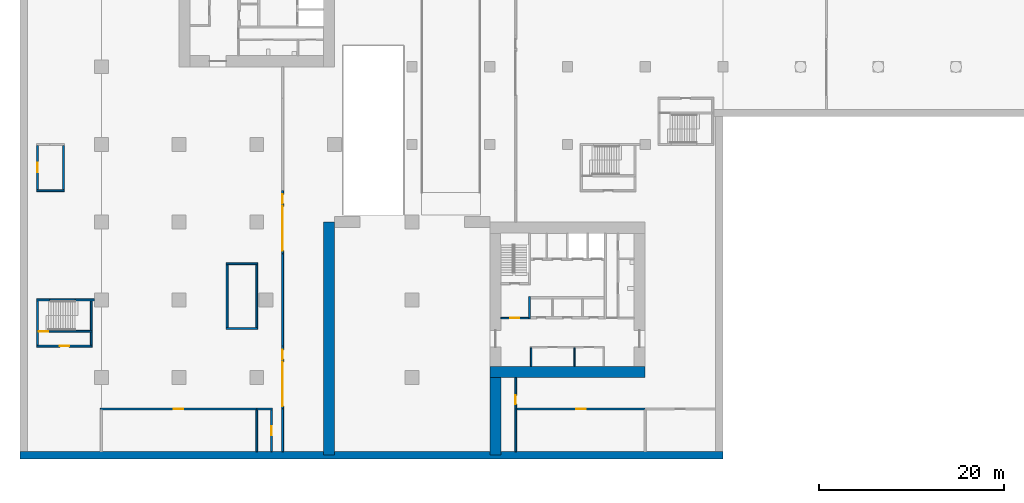
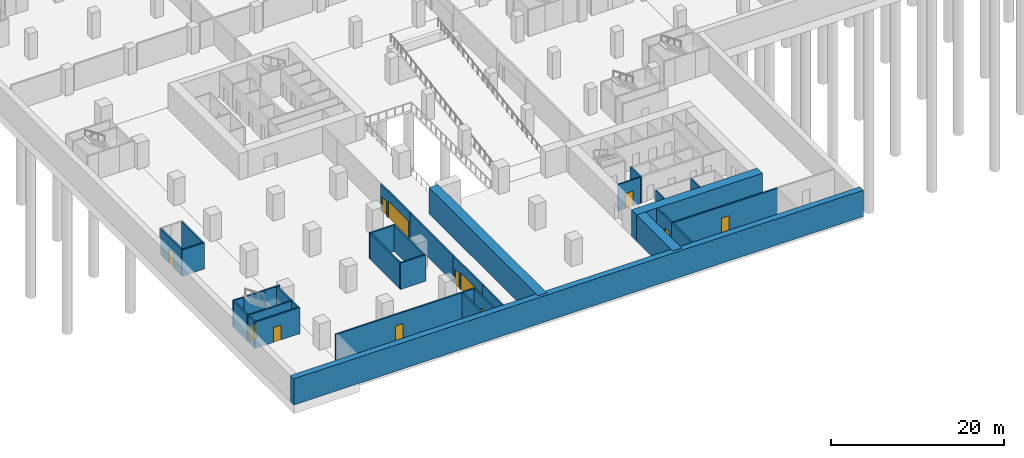
# One storey, part 3 of 19: 35 walls, 12 doors, 12 openings.
"""IFC4 building model written with IfcOpenShell, lengths in metres."""

from ifc_helpers import new_model, si_unit, direction, frame, frame_2d, origin, place, context, subcontext, project, spatial, rectangle, extrude, material, layer, layer_set, type_object, element, fill, save


model = new_model("IFC4")

# Units and contexts
model_context = context("Model", 3, precision=1e-05, world=origin(), true_north=direction((0.0, 1.0)))
body_context = subcontext(model_context, "Body", "Model", "MODEL_VIEW")
ifc_project = project(units=[si_unit("LENGTHUNIT", "METRE"), si_unit("AREAUNIT", "SQUARE_METRE"), si_unit("VOLUMEUNIT", "CUBIC_METRE"), si_unit("PLANEANGLEUNIT", "RADIAN"), si_unit("MASSUNIT", "GRAM", prefix="KILO")], contexts=[model_context])

# Site, building, storey
site_placement = place(None, origin())
site = spatial("IfcSite", under=ifc_project, at=site_placement, CompositionType="ELEMENT")
building_placement = place(site_placement, origin())
building = spatial("IfcBuilding", under=site, at=building_placement, Name="Vermilion Gate Residences", CompositionType="ELEMENT")
storey_placement = place(building_placement, frame((0.0, 0.0, -8.0)))
storey = spatial("IfcBuildingStorey", under=building, at=storey_placement, Name="B2", CompositionType="ELEMENT", Elevation=-8.0)

# Walls
ifc_material_1 = material(Name="Masonry blockwork", Category="masonry")
ifc_layer_1 = layer(ifc_material_1, 0.14990234375)
ifc_layer_set_1 = layer_set([ifc_layer_1], Name="BLOCKWORK PARTITION 150 EI 120")
wall_type_1 = type_object("IfcWallType", Name="BLOCKWORK PARTITION 150 EI 120", PredefinedType="PARTITIONING", material=ifc_layer_set_1)
for number, where, z_axis, x_axis, name in (
    (1, (46.47509765625, 9.60009765625, 0.0), (0.0, 0.0, 1.0), (0.0, 1.0, 0.0), "Core room partition AB2-RW-W"),
    (2, (51.155029296875, 9.60009765625, 0.0), (0.0, 0.0, 1.0), (0.0, 1.0, 0.0), "Core room partition AB2-SR-P0"),
):
    element("IfcWall", number, at=place(storey_placement, frame(where, z_axis=z_axis, x_axis=x_axis)), inside=storey, type_object=wall_type_1, Name=name, PredefinedType="PARTITIONING", context=body_context, shape_type="SweptSolid", body=[
        extrude(rectangle(XDim=2.0, YDim=0.14990234375, at=frame_2d((1.0, 0.0))), origin(), (0.0, 0.0, 1.0), 3.699951171875),
    ])

# Wall, opening, door
wall_1_placement = place(storey_placement, frame((43.199951171875, 14.824951171875, 0.0), z_axis=(0.0, 0.0, 1.0), x_axis=(1.0, 0.0, 0.0)))
wall_1 = element("IfcWall", 3, at=wall_1_placement, inside=storey, type_object=wall_type_1, Name="Core room partition AB2-VW-S", PredefinedType="PARTITIONING", context=body_context, shape_type="SweptSolid", body=[
    extrude(rectangle(XDim=3.0, YDim=0.14990234375, at=frame_2d((1.5, 0.0))), origin(), (0.0, 0.0, 1.0), 3.699951171875),
])
opening_1_placement = place(wall_1_placement, frame((1.0, 0.0, 0.0)))
opening_1 = element("IfcOpeningElement", 4, at=opening_1_placement, cuts=wall_1, Name="Opening DKB2012", PredefinedType="OPENING", context=body_context, shape_type="SweptSolid", body=[
    extrude(rectangle(XDim=1.0, YDim=2.10009765625, at=frame_2d((0.5, 1.050048828125))), frame((0.0, 0.0849609375, 0.0), z_axis=(0.0, -1.0, 0.0), x_axis=(1.0, 0.0, 0.0)), (0.0, 0.0, 1.0), 0.169921875),
])
ifc_material_2 = material(Name="Steel", Category="steel")
door_type_1 = type_object("IfcDoorType", Name="FIRE DOOR FD60 1000 X 2100", OperationType="SINGLE_SWING_LEFT", PredefinedType="DOOR", material=ifc_material_2)
door_1_placement = place(opening_1_placement, frame((1.0, 0.0, 0.0), z_axis=(0.0, 0.0, 1.0), x_axis=(-1.0, 0.0, 0.0)))
door_1 = element("IfcDoor", 5, at=door_1_placement, inside=storey, type_object=door_type_1, Name="Stair vestibule door AB2", OperationType="SINGLE_SWING_RIGHT", OverallHeight=2.10009765625, OverallWidth=1.0, PredefinedType="DOOR", context=body_context, shape_type="SweptSolid", body=[
    extrude(rectangle(XDim=1.0, YDim=2.10009765625, at=frame_2d((0.5, 1.050048828125))), frame((0.0, 0.02490234375, 0.0), z_axis=(0.0, -1.0, 0.0), x_axis=(1.0, 0.0, 0.0)), (0.0, 0.0, 1.0), 0.050048828125),
])
fill(opening_1, door_1)

ifc_material_3 = material(Name="Concrete blockwork", Category="masonry")
ifc_layer_2 = layer(ifc_material_3, 0.199951171875)
ifc_layer_set_2 = layer_set([ifc_layer_2], Name="FIRE WALL 200 EI 120 (AMENITY)")
wall_type_2 = type_object("IfcWallType", Name="FIRE WALL 200 EI 120 (AMENITY)", PredefinedType="PARTITIONING", material=ifc_layer_set_2)
wall_2_placement = place(storey_placement, frame((-6.89990234375, 28.699951171875, 0.0), z_axis=(0.0, 0.0, 1.0), x_axis=(0.0, 1.0, 0.0)))
wall_2 = element("IfcWall", 6, at=wall_2_placement, inside=storey, type_object=wall_type_2, Name="Fire-resisting wall 6", PredefinedType="PARTITIONING", context=body_context, shape_type="SweptSolid", body=[
    extrude(rectangle(XDim=4.800048828125, YDim=0.199951171875, at=frame_2d((2.39990234375, 0.0))), origin(), (0.0, 0.0, 1.0), 3.699951171875),
])
opening_2_placement = place(wall_2_placement, frame((1.89990234375, 0.0, 0.0)))
opening_2 = element("IfcOpeningElement", 7, at=opening_2_placement, cuts=wall_2, Name="Opening DMB2043", PredefinedType="OPENING", context=body_context, shape_type="SweptSolid", body=[
    extrude(rectangle(XDim=1.0, YDim=2.10009765625, at=frame_2d((0.5, 1.050048828125))), frame((0.0, 0.10986328125, 0.0), z_axis=(0.0, -1.0, 0.0), x_axis=(1.0, 0.0, 0.0)), (0.0, 0.0, 1.0), 0.219970703125),
])
ifc_material_4 = material(Name="Steel", Category="steel")
door_type_2 = type_object("IfcDoorType", Name="DOOR 1000 X 2100 FD60 (AMENITY)", OperationType="SINGLE_SWING_LEFT", PredefinedType="DOOR", material=ifc_material_4)
door_2_placement = place(opening_2_placement, origin())
door_2 = element("IfcDoor", 8, at=door_2_placement, inside=storey, type_object=door_type_2, Name="Door B2 43", OperationType="SINGLE_SWING_LEFT", OverallHeight=2.10009765625, OverallWidth=1.0, PredefinedType="DOOR", context=body_context, shape_type="SweptSolid", body=[
    extrude(rectangle(XDim=1.0, YDim=2.10009765625, at=frame_2d((0.5, 1.050048828125))), frame((0.0, 0.02490234375, 0.0), z_axis=(0.0, -1.0, 0.0), x_axis=(1.0, 0.0, 0.0)), (0.0, 0.0, 1.0), 0.050048828125),
])
fill(opening_2, door_2)

# Walls
wall_3_placement = place(storey_placement, frame((-7.0, 28.60009765625, 0.0), z_axis=(0.0, 0.0, 1.0), x_axis=(1.0, 0.0, 0.0)))
element("IfcWall", 9, at=wall_3_placement, inside=storey, type_object=wall_type_2, Name="Fire-resisting wall 7", PredefinedType="PARTITIONING", context=body_context, shape_type="SweptSolid", body=[
    extrude(rectangle(XDim=3.0, YDim=0.199951171875, at=frame_2d((1.5, 0.0))), origin(), (0.0, 0.0, 1.0), 3.699951171875),
])
wall_4_placement = place(storey_placement, frame((-4.10009765625, 28.699951171875, 0.0), z_axis=(0.0, 0.0, 1.0), x_axis=(0.0, 1.0, 0.0)))
element("IfcWall", 10, at=wall_4_placement, inside=storey, type_object=wall_type_2, Name="Fire-resisting wall 23", PredefinedType="PARTITIONING", context=body_context, shape_type="SweptSolid", body=[
    extrude(rectangle(XDim=4.800048828125, YDim=0.199951171875, at=frame_2d((2.39990234375, 0.0))), origin(), (0.0, 0.0, 1.0), 3.699951171875),
])

# Wall, opening, door
wall_5_placement = place(storey_placement, frame((-0.10009765625, 5.0, 0.0), z_axis=(0.0, 0.0, 1.0), x_axis=(1.0, 0.0, 0.0)))
wall_5 = element("IfcWall", 11, at=wall_5_placement, inside=storey, type_object=wall_type_2, Name="Fire-resisting wall 34", PredefinedType="PARTITIONING", context=body_context, shape_type="SweptSolid", body=[
    extrude(rectangle(XDim=16.900146484375, YDim=0.199951171875, at=frame_2d((8.4501953125, 0.0))), origin(), (0.0, 0.0, 1.0), 3.699951171875),
])
opening_3_placement = place(wall_5_placement, frame((7.949951171875, 0.0, 0.0)))
opening_3 = element("IfcOpeningElement", 12, at=opening_3_placement, cuts=wall_5, Name="Opening DMB2001", PredefinedType="OPENING", context=body_context, shape_type="SweptSolid", body=[
    extrude(rectangle(XDim=1.0, YDim=2.10009765625, at=frame_2d((0.5, 1.050048828125))), frame((0.0, 0.10986328125, 0.0), z_axis=(0.0, -1.0, 0.0), x_axis=(1.0, 0.0, 0.0)), (0.0, 0.0, 1.0), 0.219970703125),
])
door_3_placement = place(opening_3_placement, origin())
door_3 = element("IfcDoor", 13, at=door_3_placement, inside=storey, type_object=door_type_2, Name="Door B2 1", OperationType="SINGLE_SWING_LEFT", OverallHeight=2.10009765625, OverallWidth=1.0, PredefinedType="DOOR", context=body_context, shape_type="SweptSolid", body=[
    extrude(rectangle(XDim=1.0, YDim=2.10009765625, at=frame_2d((0.5, 1.050048828125))), frame((0.0, 0.02490234375, 0.0), z_axis=(0.0, -1.0, 0.0), x_axis=(1.0, 0.0, 0.0)), (0.0, 0.0, 1.0), 0.050048828125),
])
fill(opening_3, door_3)

# Walls
wall_6_placement = place(storey_placement, frame((16.800048828125, 0.39990234375, 0.0), z_axis=(0.0, 0.0, 1.0), x_axis=(0.0, 1.0, 0.0)))
element("IfcWall", 14, at=wall_6_placement, inside=storey, type_object=wall_type_2, Name="Fire-resisting wall 49", PredefinedType="PARTITIONING", context=body_context, shape_type="SweptSolid", body=[
    extrude(rectangle(XDim=4.5, YDim=0.199951171875, at=frame_2d((2.25, 0.0))), origin(), (0.0, 0.0, 1.0), 3.699951171875),
])
wall_7_placement = place(storey_placement, frame((16.800048828125, 5.0, 0.0), z_axis=(0.0, 0.0, 1.0), x_axis=(1.0, 0.0, 0.0)))
element("IfcWall", 15, at=wall_7_placement, inside=storey, type_object=wall_type_2, Name="Fire-resisting wall 50", PredefinedType="PARTITIONING", context=body_context, shape_type="SweptSolid", body=[
    extrude(rectangle(XDim=1.699951171875, YDim=0.199951171875, at=frame_2d((0.85009765625, 0.0))), origin(), (0.0, 0.0, 1.0), 3.699951171875),
])

# Wall, opening, door
wall_8_placement = place(storey_placement, frame((18.39990234375, 0.39990234375, 0.0), z_axis=(0.0, 0.0, 1.0), x_axis=(0.0, 1.0, 0.0)))
wall_8 = element("IfcWall", 16, at=wall_8_placement, inside=storey, type_object=wall_type_2, Name="Fire-resisting wall 51", PredefinedType="PARTITIONING", context=body_context, shape_type="SweptSolid", body=[
    extrude(rectangle(XDim=4.5, YDim=0.199951171875, at=frame_2d((2.25, 0.0))), origin(), (0.0, 0.0, 1.0), 3.699951171875),
])
opening_4_placement = place(wall_8_placement, frame((1.75, 0.0, 0.0)))
opening_4 = element("IfcOpeningElement", 17, at=opening_4_placement, cuts=wall_8, Name="Opening DMB2002", PredefinedType="OPENING", context=body_context, shape_type="SweptSolid", body=[
    extrude(rectangle(XDim=1.0, YDim=2.10009765625, at=frame_2d((0.5, 1.050048828125))), frame((0.0, 0.10986328125, 0.0), z_axis=(0.0, -1.0, 0.0), x_axis=(1.0, 0.0, 0.0)), (0.0, 0.0, 1.0), 0.219970703125),
])
door_4_placement = place(opening_4_placement, origin())
door_4 = element("IfcDoor", 18, at=door_4_placement, inside=storey, type_object=door_type_2, Name="Door B2 2", OperationType="SINGLE_SWING_LEFT", OverallHeight=2.10009765625, OverallWidth=1.0, PredefinedType="DOOR", context=body_context, shape_type="SweptSolid", body=[
    extrude(rectangle(XDim=1.0, YDim=2.10009765625, at=frame_2d((0.5, 1.050048828125))), frame((0.0, 0.02490234375, 0.0), z_axis=(0.0, -1.0, 0.0), x_axis=(1.0, 0.0, 0.0)), (0.0, 0.0, 1.0), 0.050048828125),
])
fill(opening_4, door_4)

wall_9_placement = place(storey_placement, frame((44.89990234375, 5.0, 0.0), z_axis=(0.0, 0.0, 1.0), x_axis=(1.0, 0.0, 0.0)))
wall_9 = element("IfcWall", 19, at=wall_9_placement, inside=storey, type_object=wall_type_2, Name="Fire-resisting wall 65", PredefinedType="PARTITIONING", context=body_context, shape_type="SweptSolid", body=[
    extrude(rectangle(XDim=13.900146484375, YDim=0.199951171875, at=frame_2d((6.9501953125, 0.0))), origin(), (0.0, 0.0, 1.0), 3.699951171875),
])
opening_5_placement = place(wall_9_placement, frame((6.449951171875, 0.0, 0.0)))
opening_5 = element("IfcOpeningElement", 20, at=opening_5_placement, cuts=wall_9, Name="Opening DMB2003", PredefinedType="OPENING", context=body_context, shape_type="SweptSolid", body=[
    extrude(rectangle(XDim=1.0, YDim=2.10009765625, at=frame_2d((0.5, 1.050048828125))), frame((0.0, 0.10986328125, 0.0), z_axis=(0.0, -1.0, 0.0), x_axis=(1.0, 0.0, 0.0)), (0.0, 0.0, 1.0), 0.219970703125),
])
door_5_placement = place(opening_5_placement, origin())
door_5 = element("IfcDoor", 21, at=door_5_placement, inside=storey, type_object=door_type_2, Name="Door B2 3", OperationType="SINGLE_SWING_LEFT", OverallHeight=2.10009765625, OverallWidth=1.0, PredefinedType="DOOR", context=body_context, shape_type="SweptSolid", body=[
    extrude(rectangle(XDim=1.0, YDim=2.10009765625, at=frame_2d((0.5, 1.050048828125))), frame((0.0, 0.02490234375, 0.0), z_axis=(0.0, -1.0, 0.0), x_axis=(1.0, 0.0, 0.0)), (0.0, 0.0, 1.0), 0.050048828125),
])
fill(opening_5, door_5)

# Wall
ifc_material_5 = material(Name="Concrete blockwork", Category="masonry")
ifc_layer_3 = layer(ifc_material_5, 0.199951171875)
ifc_layer_set_3 = layer_set([ifc_layer_3], Name="GARAGE FIRE WALL 200 EI 120 (AMENITY)")
wall_type_3 = type_object("IfcWallType", Name="GARAGE FIRE WALL 200 EI 120 (AMENITY)", PredefinedType="PARTITIONING", material=ifc_layer_set_3)
wall_10_placement = place(storey_placement, frame((19.60009765625, 0.39990234375, 0.0), z_axis=(0.0, 0.0, 1.0), x_axis=(0.0, 1.0, 0.0)))
element("IfcWall", 22, at=wall_10_placement, inside=storey, type_object=wall_type_3, Name="Fire compartment wall", PredefinedType="PARTITIONING", context=body_context, shape_type="SweptSolid", body=[
    extrude(rectangle(XDim=4.60009765625, YDim=0.199951171875, at=frame_2d((2.300048828125, 0.0))), origin(), (0.0, 0.0, 1.0), 3.699951171875),
])

# Wall, openings, doors
wall_11_placement = place(storey_placement, frame((19.60009765625, 5.0, 0.0), z_axis=(0.0, 0.0, 1.0), x_axis=(0.0, 1.0, 0.0)))
wall_11 = element("IfcWall", 23, at=wall_11_placement, inside=storey, type_object=wall_type_3, Name="Fire compartment wall", PredefinedType="PARTITIONING", context=body_context, shape_type="SweptSolid", body=[
    extrude(rectangle(XDim=6.800048828125, YDim=0.199951171875, at=frame_2d((3.39990234375, 0.0))), origin(), (0.0, 0.0, 1.0), 3.699951171875),
])
opening_6_placement = place(wall_11_placement, frame((0.300048828125, 0.0, 0.0)))
opening_6 = element("IfcOpeningElement", 24, at=opening_6_placement, cuts=wall_11, Name="Opening DGB2001", PredefinedType="OPENING", context=body_context, shape_type="SweptSolid", body=[
    extrude(rectangle(XDim=4.800048828125, YDim=2.39990234375, at=frame_2d((2.39990234375, 1.199951171875))), frame((0.0, 0.10986328125, 0.0), z_axis=(0.0, -1.0, 0.0), x_axis=(1.0, 0.0, 0.0)), (0.0, 0.0, 1.0), 0.219970703125),
])
opening_7_placement = place(wall_11_placement, frame((5.39990234375, 0.0, 0.0)))
opening_7 = element("IfcOpeningElement", 25, at=opening_7_placement, cuts=wall_11, Name="Opening DGB2002", PredefinedType="OPENING", context=body_context, shape_type="SweptSolid", body=[
    extrude(rectangle(XDim=1.0, YDim=2.10009765625, at=frame_2d((0.5, 1.050048828125))), frame((0.0, 0.10986328125, 0.0), z_axis=(0.0, -1.0, 0.0), x_axis=(1.0, 0.0, 0.0)), (0.0, 0.0, 1.0), 0.219970703125),
])
ifc_material_6 = material(Name="Steel", Category="steel")
door_type_3 = type_object("IfcDoorType", Name="DOOR 1000 X 2100 FD120 (AMENITY)", OperationType="SINGLE_SWING_LEFT", PredefinedType="DOOR", material=ifc_material_6)
door_6_placement = place(opening_7_placement, origin())
door_6 = element("IfcDoor", 26, at=door_6_placement, inside=storey, type_object=door_type_3, Name="Fire door", OperationType="SINGLE_SWING_LEFT", OverallHeight=2.10009765625, OverallWidth=1.0, PredefinedType="DOOR", context=body_context, shape_type="SweptSolid", body=[
    extrude(rectangle(XDim=1.0, YDim=2.10009765625, at=frame_2d((0.5, 1.050048828125))), frame((0.0, 0.02490234375, 0.0), z_axis=(0.0, -1.0, 0.0), x_axis=(1.0, 0.0, 0.0)), (0.0, 0.0, 1.0), 0.050048828125),
])
fill(opening_7, door_6)
ifc_material_7 = material(Name="Steel", Category="steel")
door_type_4 = type_object("IfcDoorType", Name="FIRE SHUTTER 4800 X 2400 (AMENITY)", OperationType="ROLLINGUP", PredefinedType="GATE", material=ifc_material_7)
door_7_placement = place(opening_6_placement, origin())
door_7 = element("IfcDoor", 27, at=door_7_placement, inside=storey, type_object=door_type_4, Name="Fire shutter", OperationType="ROLLINGUP", OverallHeight=2.39990234375, OverallWidth=4.800048828125, PredefinedType="GATE", context=body_context, shape_type="SweptSolid", body=[
    extrude(rectangle(XDim=4.800048828125, YDim=2.39990234375, at=frame_2d((2.39990234375, 1.199951171875))), frame((0.0, 0.02490234375, 0.0), z_axis=(0.0, -1.0, 0.0), x_axis=(1.0, 0.0, 0.0)), (0.0, 0.0, 1.0), 0.050048828125),
])
fill(opening_6, door_7)

# Wall
wall_12_placement = place(storey_placement, frame((19.60009765625, 11.800048828125, 0.0), z_axis=(0.0, 0.0, 1.0), x_axis=(0.0, 1.0, 0.0)))
element("IfcWall", 28, at=wall_12_placement, inside=storey, type_object=wall_type_3, Name="Fire compartment wall", PredefinedType="PARTITIONING", context=body_context, shape_type="SweptSolid", body=[
    extrude(rectangle(XDim=10.0, YDim=0.199951171875, at=frame_2d((5.0, 0.0))), origin(), (0.0, 0.0, 1.0), 3.699951171875),
])

# Wall, openings, doors
wall_13_placement = place(storey_placement, frame((19.60009765625, 21.800048828125, 0.0), z_axis=(0.0, 0.0, 1.0), x_axis=(0.0, 1.0, 0.0)))
wall_13 = element("IfcWall", 29, at=wall_13_placement, inside=storey, type_object=wall_type_3, Name="Fire compartment wall", PredefinedType="PARTITIONING", context=body_context, shape_type="SweptSolid", body=[
    extrude(rectangle(XDim=6.800048828125, YDim=0.199951171875, at=frame_2d((3.39990234375, 0.0))), origin(), (0.0, 0.0, 1.0), 3.699951171875),
])
opening_8_placement = place(wall_13_placement, frame((0.300048828125, 0.0, 0.0)))
opening_8 = element("IfcOpeningElement", 30, at=opening_8_placement, cuts=wall_13, Name="Opening DGB2003", PredefinedType="OPENING", context=body_context, shape_type="SweptSolid", body=[
    extrude(rectangle(XDim=4.800048828125, YDim=2.39990234375, at=frame_2d((2.39990234375, 1.199951171875))), frame((0.0, 0.10986328125, 0.0), z_axis=(0.0, -1.0, 0.0), x_axis=(1.0, 0.0, 0.0)), (0.0, 0.0, 1.0), 0.219970703125),
])
opening_9_placement = place(wall_13_placement, frame((5.39990234375, 0.0, 0.0)))
opening_9 = element("IfcOpeningElement", 31, at=opening_9_placement, cuts=wall_13, Name="Opening DGB2004", PredefinedType="OPENING", context=body_context, shape_type="SweptSolid", body=[
    extrude(rectangle(XDim=1.0, YDim=2.10009765625, at=frame_2d((0.5, 1.050048828125))), frame((0.0, 0.10986328125, 0.0), z_axis=(0.0, -1.0, 0.0), x_axis=(1.0, 0.0, 0.0)), (0.0, 0.0, 1.0), 0.219970703125),
])
door_8_placement = place(opening_9_placement, origin())
door_8 = element("IfcDoor", 32, at=door_8_placement, inside=storey, type_object=door_type_3, Name="Fire door", OperationType="SINGLE_SWING_LEFT", OverallHeight=2.10009765625, OverallWidth=1.0, PredefinedType="DOOR", context=body_context, shape_type="SweptSolid", body=[
    extrude(rectangle(XDim=1.0, YDim=2.10009765625, at=frame_2d((0.5, 1.050048828125))), frame((0.0, 0.02490234375, 0.0), z_axis=(0.0, -1.0, 0.0), x_axis=(1.0, 0.0, 0.0)), (0.0, 0.0, 1.0), 0.050048828125),
])
fill(opening_9, door_8)
door_9_placement = place(opening_8_placement, origin())
door_9 = element("IfcDoor", 33, at=door_9_placement, inside=storey, type_object=door_type_4, Name="Fire shutter", OperationType="ROLLINGUP", OverallHeight=2.39990234375, OverallWidth=4.800048828125, PredefinedType="GATE", context=body_context, shape_type="SweptSolid", body=[
    extrude(rectangle(XDim=4.800048828125, YDim=2.39990234375, at=frame_2d((2.39990234375, 1.199951171875))), frame((0.0, 0.02490234375, 0.0), z_axis=(0.0, -1.0, 0.0), x_axis=(1.0, 0.0, 0.0)), (0.0, 0.0, 1.0), 0.050048828125),
])
fill(opening_8, door_9)

# Wall
wall_14_placement = place(storey_placement, frame((44.800048828125, 0.39990234375, 0.0), z_axis=(0.0, 0.0, 1.0), x_axis=(0.0, 1.0, 0.0)))
element("IfcWall", 34, at=wall_14_placement, inside=storey, type_object=wall_type_3, Name="Fire compartment wall", PredefinedType="PARTITIONING", context=body_context, shape_type="SweptSolid", body=[
    extrude(rectangle(XDim=4.60009765625, YDim=0.199951171875, at=frame_2d((2.300048828125, 0.0))), origin(), (0.0, 0.0, 1.0), 3.699951171875),
])

# Wall, opening, door
wall_15_placement = place(storey_placement, frame((44.800048828125, 5.0, 0.0), z_axis=(0.0, 0.0, 1.0), x_axis=(0.0, 1.0, 0.0)))
wall_15 = element("IfcWall", 35, at=wall_15_placement, inside=storey, type_object=wall_type_3, Name="Fire compartment wall", PredefinedType="PARTITIONING", context=body_context, shape_type="SweptSolid", body=[
    extrude(rectangle(XDim=3.39990234375, YDim=0.199951171875, at=frame_2d((1.699951171875, 0.0))), origin(), (0.0, 0.0, 1.0), 3.699951171875),
])
opening_10_placement = place(wall_15_placement, frame((0.5, 0.0, 0.0)))
opening_10 = element("IfcOpeningElement", 36, at=opening_10_placement, cuts=wall_15, Name="Opening DGB2090", PredefinedType="OPENING", context=body_context, shape_type="SweptSolid", body=[
    extrude(rectangle(XDim=1.0, YDim=2.10009765625, at=frame_2d((0.5, 1.050048828125))), frame((0.0, 0.10986328125, 0.0), z_axis=(0.0, -1.0, 0.0), x_axis=(1.0, 0.0, 0.0)), (0.0, 0.0, 1.0), 0.219970703125),
])
door_10_placement = place(opening_10_placement, origin())
door_10 = element("IfcDoor", 37, at=door_10_placement, inside=storey, type_object=door_type_3, Name="Fire door", OperationType="SINGLE_SWING_RIGHT", OverallHeight=2.10009765625, OverallWidth=1.0, PredefinedType="DOOR", context=body_context, shape_type="SweptSolid", body=[
    extrude(rectangle(XDim=1.0, YDim=2.10009765625, at=frame_2d((0.5, 1.050048828125))), frame((0.0, 0.02490234375, 0.0), z_axis=(0.0, -1.0, 0.0), x_axis=(1.0, 0.0, 0.0)), (0.0, 0.0, 1.0), 0.050048828125),
])
fill(opening_10, door_10)

# Walls
ifc_material_8 = material(Name="Concrete C60", Category="concrete")
ifc_layer_4 = layer(ifc_material_8, 0.199951171875)
ifc_layer_set_4 = layer_set([ifc_layer_4], Name="RC CORE INTERNAL WALL 200 C60")
wall_type_4 = type_object("IfcWallType", Name="RC CORE INTERNAL WALL 200 C60", PredefinedType="SHEAR", material=ifc_layer_set_4)
wall_16_placement = place(storey_placement, frame((46.300048828125, 14.75, 0.0), z_axis=(0.0, 0.0, 1.0), x_axis=(0.0, 1.0, 0.0)))
element("IfcWall", 38, at=wall_16_placement, inside=storey, type_object=wall_type_4, Name="Core internal wall AB2-WDIV1", PredefinedType="SHEAR", context=body_context, shape_type="SweptSolid", body=[
    extrude(rectangle(XDim=2.39990234375, YDim=0.199951171875, at=frame_2d((1.199951171875, 0.0))), origin(), (0.0, 0.0, 1.0), 3.699951171875),
])
for number, where, z_axis, x_axis, name in (
    (39, (13.60009765625, 13.800048828125, 0.0), (0.0, 0.0, 1.0), (0.0, 1.0, 0.0), "Apex stair wall W B2"),
    (40, (16.800048828125, 13.800048828125, 0.0), (0.0, 0.0, 1.0), (0.0, 1.0, 0.0), "Apex stair wall E B2"),
):
    element("IfcWall", number, at=place(storey_placement, frame(where, z_axis=z_axis, x_axis=x_axis)), inside=storey, type_object=wall_type_4, Name=name, PredefinedType="SHEAR", context=body_context, shape_type="SweptSolid", body=[
        extrude(rectangle(XDim=6.800048828125, YDim=0.199951171875, at=frame_2d((3.39990234375, 0.0))), origin(), (0.0, 0.0, 1.0), 3.699951171875),
    ])
for number, where, z_axis, x_axis, name in (
    (41, (13.5, 13.699951171875, 0.0), (0.0, 0.0, 1.0), (1.0, 0.0, 0.0), "Apex stair wall S B2"),
    (42, (13.5, 20.699951171875, 0.0), (0.0, 0.0, 1.0), (1.0, 0.0, 0.0), "Apex stair wall N B2"),
):
    element("IfcWall", number, at=place(storey_placement, frame(where, z_axis=z_axis, x_axis=x_axis)), inside=storey, type_object=wall_type_4, Name=name, PredefinedType="SHEAR", context=body_context, shape_type="SweptSolid", body=[
        extrude(rectangle(XDim=3.39990234375, YDim=0.199951171875, at=frame_2d((1.699951171875, 0.0))), origin(), (0.0, 0.0, 1.0), 3.699951171875),
    ])
ifc_material_9 = material(Name="Concrete C80", Category="concrete")
ifc_layer_5 = layer(ifc_material_9, 1.199951171875)
ifc_layer_set_5 = layer_set([ifc_layer_5], Name="RC CORE WALL 1200 C80")
wall_type_5 = type_object("IfcWallType", Name="RC CORE WALL 1200 C80", PredefinedType="SHEAR", material=ifc_layer_set_5)
wall_17_placement = place(storey_placement, frame((42.0, 9.0, 0.0), z_axis=(0.0, 0.0, 1.0), x_axis=(1.0, 0.0, 0.0)))
element("IfcWall", 43, at=wall_17_placement, inside=storey, type_object=wall_type_5, Name="Core wall AB2-OUT-B0", PredefinedType="SHEAR", context=body_context, shape_type="SweptSolid", body=[
    extrude(rectangle(XDim=16.800048828125, YDim=1.199951171875, at=frame_2d((8.39990234375, 0.0))), origin(), (0.0, 0.0, 1.0), 3.699951171875),
])
ifc_material_10 = material(Name="Concrete C40", Category="concrete")
ifc_layer_6 = layer(ifc_material_10, 0.800048828125)
ifc_layer_set_6 = layer_set([ifc_layer_6], Name="RC DIAPHRAGM WALL 800 C40")
wall_type_6 = type_object("IfcWallType", Name="RC DIAPHRAGM WALL 800 C40", PredefinedType="SOLIDWALL", material=ifc_layer_set_6)
wall_18_placement = place(storey_placement, frame((-8.800048828125, 0.0, 0.0), z_axis=(0.0, 0.0, 1.0), x_axis=(1.0, 0.0, 0.0)))
element("IfcWall", 44, at=wall_18_placement, inside=storey, type_object=wall_type_6, Name="Diaphragm wall B2 1", PredefinedType="SOLIDWALL", context=body_context, shape_type="SweptSolid", body=[
    extrude(rectangle(XDim=76.0, YDim=0.800048828125, at=frame_2d((38.0, 0.0))), origin(), (0.0, 0.0, 1.0), 3.699951171875),
])
ifc_material_11 = material(Name="Concrete C70", Category="concrete")
ifc_layer_7 = layer(ifc_material_11, 1.199951171875)
ifc_layer_set_7 = layer_set([ifc_layer_7], Name="RC GATE PIER WALL 1200 C70")
wall_type_7 = type_object("IfcWallType", Name="RC GATE PIER WALL 1200 C70", PredefinedType="SHEAR", material=ifc_layer_set_7)
wall_19_placement = place(storey_placement, frame((24.60009765625, 0.0, 0.0), z_axis=(0.0, 0.0, 1.0), x_axis=(0.0, 1.0, 0.0)))
element("IfcWall", 45, at=wall_19_placement, inside=storey, type_object=wall_type_7, Name="Gate pier wall W B2", PredefinedType="SHEAR", context=body_context, shape_type="SweptSolid", body=[
    extrude(rectangle(XDim=25.199951171875, YDim=1.199951171875, at=frame_2d((12.60009765625, 0.0))), origin(), (0.0, 0.0, 1.0), 3.699951171875),
])
wall_20_placement = place(storey_placement, frame((42.60009765625, 0.0, 0.0), z_axis=(0.0, 0.0, 1.0), x_axis=(0.0, 1.0, 0.0)))
element("IfcWall", 46, at=wall_20_placement, inside=storey, type_object=wall_type_7, Name="Gate pier wall E B2", PredefinedType="SHEAR", context=body_context, shape_type="SweptSolid", body=[
    extrude(rectangle(XDim=8.39990234375, YDim=1.199951171875, at=frame_2d((4.199951171875, 0.0))), origin(), (0.0, 0.0, 1.0), 3.699951171875),
])
ifc_material_12 = material(Name="Concrete C40", Category="concrete")
ifc_layer_8 = layer(ifc_material_12, 0.199951171875)
ifc_layer_set_8 = layer_set([ifc_layer_8], Name="RC STAIR AND SHAFT WALL 200 EI 180 C40 (AMENITY)")
wall_type_8 = type_object("IfcWallType", Name="RC STAIR AND SHAFT WALL 200 EI 180 C40 (AMENITY)", PredefinedType="SOLIDWALL", material=ifc_layer_set_8)
wall_21_placement = place(storey_placement, frame((-6.89990234375, 11.89990234375, 0.0), z_axis=(0.0, 0.0, 1.0), x_axis=(0.0, 1.0, 0.0)))
element("IfcWall", 47, at=wall_21_placement, inside=storey, type_object=wall_type_8, Name="Stair and shaft wall 1", PredefinedType="SOLIDWALL", context=body_context, shape_type="SweptSolid", body=[
    extrude(rectangle(XDim=1.400146484375, YDim=0.199951171875, at=frame_2d((0.7001953125, 0.0))), origin(), (0.0, 0.0, 1.0), 3.699951171875),
])

# Wall, opening, door
wall_22_placement = place(storey_placement, frame((-7.0, 11.800048828125, 0.0), z_axis=(0.0, 0.0, 1.0), x_axis=(1.0, 0.0, 0.0)))
wall_22 = element("IfcWall", 48, at=wall_22_placement, inside=storey, type_object=wall_type_8, Name="Stair and shaft wall 2", PredefinedType="SOLIDWALL", context=body_context, shape_type="SweptSolid", body=[
    extrude(rectangle(XDim=6.0, YDim=0.199951171875, at=frame_2d((3.0, 0.0))), origin(), (0.0, 0.0, 1.0), 3.699951171875),
])
opening_11_placement = place(wall_22_placement, frame((2.5, 0.0, 0.0)))
opening_11 = element("IfcOpeningElement", 49, at=opening_11_placement, cuts=wall_22, Name="Opening DMB2005", PredefinedType="OPENING", context=body_context, shape_type="SweptSolid", body=[
    extrude(rectangle(XDim=1.0, YDim=2.10009765625, at=frame_2d((0.5, 1.050048828125))), frame((0.0, 0.10986328125, 0.0), z_axis=(0.0, -1.0, 0.0), x_axis=(1.0, 0.0, 0.0)), (0.0, 0.0, 1.0), 0.219970703125),
])
door_11_placement = place(opening_11_placement, frame((1.0, 0.0, 0.0), z_axis=(0.0, 0.0, 1.0), x_axis=(-1.0, 0.0, 0.0)))
door_11 = element("IfcDoor", 50, at=door_11_placement, inside=storey, type_object=door_type_2, Name="Door B2 5", OperationType="SINGLE_SWING_RIGHT", OverallHeight=2.10009765625, OverallWidth=1.0, PredefinedType="DOOR", context=body_context, shape_type="SweptSolid", body=[
    extrude(rectangle(XDim=1.0, YDim=2.10009765625, at=frame_2d((0.5, 1.050048828125))), frame((0.0, 0.02490234375, 0.0), z_axis=(0.0, -1.0, 0.0), x_axis=(1.0, 0.0, 0.0)), (0.0, 0.0, 1.0), 0.050048828125),
])
fill(opening_11, door_11)

# Wall
wall_23_placement = place(storey_placement, frame((-6.89990234375, 13.5, 0.0), z_axis=(0.0, 0.0, 1.0), x_axis=(0.0, 1.0, 0.0)))
element("IfcWall", 51, at=wall_23_placement, inside=storey, type_object=wall_type_8, Name="Stair and shaft wall 3", PredefinedType="SOLIDWALL", context=body_context, shape_type="SweptSolid", body=[
    extrude(rectangle(XDim=3.199951171875, YDim=0.199951171875, at=frame_2d((1.60009765625, 0.0))), origin(), (0.0, 0.0, 1.0), 3.699951171875),
])

# Wall, opening, door
wall_24_placement = place(storey_placement, frame((-7.0, 13.39990234375, 0.0), z_axis=(0.0, 0.0, 1.0), x_axis=(1.0, 0.0, 0.0)))
wall_24 = element("IfcWall", 52, at=wall_24_placement, inside=storey, type_object=wall_type_8, Name="Stair and shaft wall 4", PredefinedType="SOLIDWALL", context=body_context, shape_type="SweptSolid", body=[
    extrude(rectangle(XDim=6.0, YDim=0.199951171875, at=frame_2d((3.0, 0.0))), origin(), (0.0, 0.0, 1.0), 3.699951171875),
])
opening_12_placement = place(wall_24_placement, frame((0.25, 0.0, 0.0)))
opening_12 = element("IfcOpeningElement", 53, at=opening_12_placement, cuts=wall_24, Name="Opening DMB2006", PredefinedType="OPENING", context=body_context, shape_type="SweptSolid", body=[
    extrude(rectangle(XDim=1.0, YDim=2.10009765625, at=frame_2d((0.5, 1.050048828125))), frame((0.0, 0.10986328125, 0.0), z_axis=(0.0, -1.0, 0.0), x_axis=(1.0, 0.0, 0.0)), (0.0, 0.0, 1.0), 0.219970703125),
])
door_12_placement = place(opening_12_placement, origin())
door_12 = element("IfcDoor", 54, at=door_12_placement, inside=storey, type_object=door_type_2, Name="Door B2 6", OperationType="SINGLE_SWING_RIGHT", OverallHeight=2.10009765625, OverallWidth=1.0, PredefinedType="DOOR", context=body_context, shape_type="SweptSolid", body=[
    extrude(rectangle(XDim=1.0, YDim=2.10009765625, at=frame_2d((0.5, 1.050048828125))), frame((0.0, 0.02490234375, 0.0), z_axis=(0.0, -1.0, 0.0), x_axis=(1.0, 0.0, 0.0)), (0.0, 0.0, 1.0), 0.050048828125),
])
fill(opening_12, door_12)

# Walls
wall_25_placement = place(storey_placement, frame((-7.0, 16.800048828125, 0.0), z_axis=(0.0, 0.0, 1.0), x_axis=(1.0, 0.0, 0.0)))
element("IfcWall", 55, at=wall_25_placement, inside=storey, type_object=wall_type_8, Name="Stair and shaft wall 5", PredefinedType="SOLIDWALL", context=body_context, shape_type="SweptSolid", body=[
    extrude(rectangle(XDim=1.39990234375, YDim=0.199951171875, at=frame_2d((0.699951171875, 0.0))), origin(), (0.0, 0.0, 1.0), 3.699951171875),
])
wall_26_placement = place(storey_placement, frame((-5.60009765625, 16.800048828125, 0.0), z_axis=(0.0, 0.0, 1.0), x_axis=(1.0, 0.0, 0.0)))
element("IfcWall", 56, at=wall_26_placement, inside=storey, type_object=wall_type_8, Name="Stair and shaft wall 19", PredefinedType="SOLIDWALL", context=body_context, shape_type="SweptSolid", body=[
    extrude(rectangle(XDim=2.800048828125, YDim=0.199951171875, at=frame_2d((1.39990234375, 0.0))), origin(), (0.0, 0.0, 1.0), 3.699951171875),
])
wall_27_placement = place(storey_placement, frame((-2.800048828125, 16.800048828125, 0.0), z_axis=(0.0, 0.0, 1.0), x_axis=(1.0, 0.0, 0.0)))
element("IfcWall", 57, at=wall_27_placement, inside=storey, type_object=wall_type_8, Name="Stair and shaft wall 24", PredefinedType="SOLIDWALL", context=body_context, shape_type="SweptSolid", body=[
    extrude(rectangle(XDim=2.050048828125, YDim=0.199951171875, at=frame_2d((1.02490234375, 0.0))), origin(), (0.0, 0.0, 1.0), 3.699951171875),
])
wall_28_placement = place(storey_placement, frame((-1.10009765625, 11.89990234375, 0.0), z_axis=(0.0, 0.0, 1.0), x_axis=(0.0, 1.0, 0.0)))
element("IfcWall", 58, at=wall_28_placement, inside=storey, type_object=wall_type_8, Name="Stair and shaft wall 27", PredefinedType="SOLIDWALL", context=body_context, shape_type="SweptSolid", body=[
    extrude(rectangle(XDim=1.400146484375, YDim=0.199951171875, at=frame_2d((0.7001953125, 0.0))), origin(), (0.0, 0.0, 1.0), 3.699951171875),
])
wall_29_placement = place(storey_placement, frame((-1.10009765625, 13.5, 0.0), z_axis=(0.0, 0.0, 1.0), x_axis=(0.0, 1.0, 0.0)))
element("IfcWall", 59, at=wall_29_placement, inside=storey, type_object=wall_type_8, Name="Stair and shaft wall 28", PredefinedType="SOLIDWALL", context=body_context, shape_type="SweptSolid", body=[
    extrude(rectangle(XDim=3.199951171875, YDim=0.199951171875, at=frame_2d((1.60009765625, 0.0))), origin(), (0.0, 0.0, 1.0), 3.699951171875),
])

save(model, "model.ifc")
